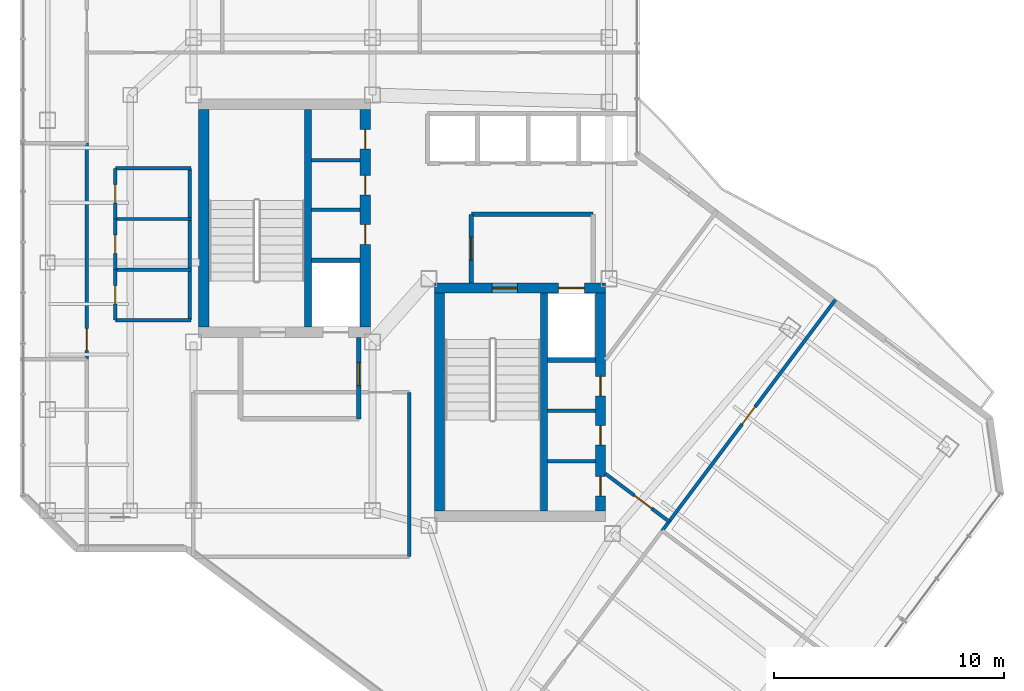
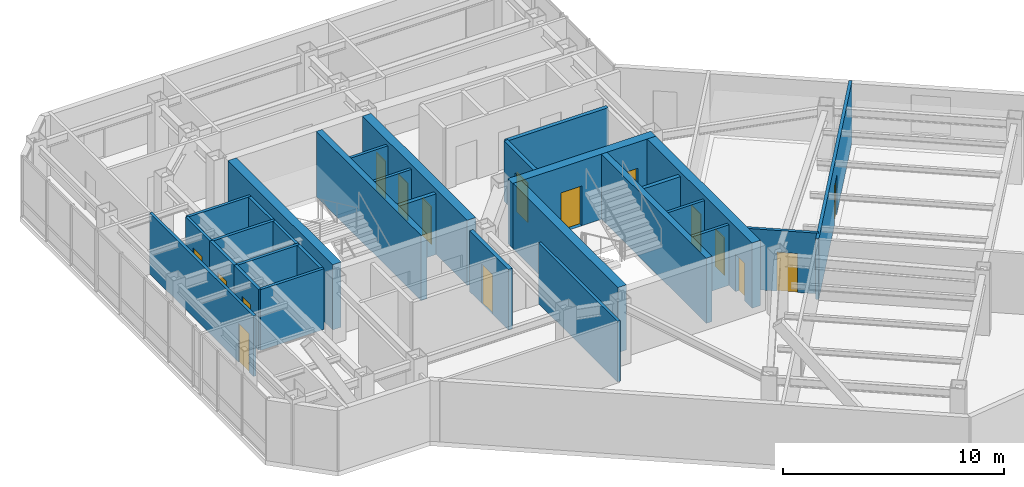
# One storey, part 20 of 25: 28 walls, 16 doors, 16 openings.
"""IFC4 building model written with IfcOpenShell, lengths in metres."""

import ifcopenshell
import ifcopenshell.guid

model = None  # the IFC model being written
_history = None  # IfcOwnerHistory: only IFC2X3 demands one
_inside = {}  # id of a spatial element -> (the spatial element, [elements in it])
_under = {}  # id of a project, library or spatial element -> (it, [spatial elements below it])
_declared = {}  # id of a project -> (the project, [libraries it declares])
_typed = {}  # id of a type object -> (the type object, [elements of that type])
_made_of = {}  # id of a material, layer set ... -> (it, [elements and type objects made of it])


def new_model(schema):
    """Start an empty IFC model of exactly this schema.

    Asked for "IFC4X3", IfcOpenShell would pick the latest addendum, in which some entities
    have other attributes; the version numbers below select the first issue.
    IFC2X3 requires an IfcOwnerHistory on every rooted entity: one is made here for all.
    """
    global model, _history
    if schema == "IFC4X3":
        model = ifcopenshell.file(schema_version=(4, 3, 0, 0))
    else:
        model = ifcopenshell.file(schema=schema)
    _inside.clear()
    _under.clear()
    _declared.clear()
    _typed.clear()
    _made_of.clear()
    _history = None
    if model.schema == "IFC2X3":
        org = make("IfcOrganization", Name="unknown")
        user = make(
            "IfcPersonAndOrganization",
            ThePerson=make("IfcPerson", FamilyName="unknown"),
            TheOrganization=org,
        )
        app = make(
            "IfcApplication",
            ApplicationDeveloper=org,
            Version="unknown",
            ApplicationFullName="unknown",
            ApplicationIdentifier="unknown",
        )
        _history = make(
            "IfcOwnerHistory",
            OwningUser=user,
            OwningApplication=app,
            ChangeAction="ADDED",
            CreationDate=0,
        )
    return model


def make(cls, **values):
    """One entity of the class cls with the attributes given. An attribute that is None is left unset."""
    return model.create_entity(
        cls, **{name: value for name, value in values.items() if value is not None}
    )


def rooted(cls, **values):
    """An entity with a GlobalId (a new one), such as an element, a storey or a relation."""
    return make(cls, GlobalId=ifcopenshell.guid.new(), OwnerHistory=_history, **values)


def si_unit(unit_type, name, prefix=None):
    """IfcSIUnit, for example si_unit("LENGTHUNIT", "METRE", prefix="MILLI")."""
    return make("IfcSIUnit", UnitType=unit_type, Prefix=prefix, Name=name)


def assignment(units):
    """IfcUnitAssignment: the units of a project."""
    return None if units is None else make("IfcUnitAssignment", Units=units)


def point(xyz):
    """IfcCartesianPoint."""
    return None if xyz is None else make("IfcCartesianPoint", Coordinates=xyz)


def direction(xyz):
    """IfcDirection."""
    return None if xyz is None else make("IfcDirection", DirectionRatios=xyz)


def frame(location, z_axis=None, x_axis=None):
    """IfcAxis2Placement3D, a coordinate frame: its origin and axes. An axis left out is left unset."""
    return make(
        "IfcAxis2Placement3D",
        Location=point(location),
        Axis=direction(z_axis),
        RefDirection=direction(x_axis),
    )


def frame_2d(location, x_axis=None):
    """IfcAxis2Placement2D, a coordinate frame in the plane: its origin and x axis."""
    return make(
        "IfcAxis2Placement2D", Location=point(location), RefDirection=direction(x_axis)
    )


def origin():
    """The frame at (0, 0, 0) with its axes left unset."""
    return frame((0.0, 0.0, 0.0))


def place(relative_to, where):
    """IfcLocalPlacement: puts the frame where relative to a parent placement (None: the world)."""
    return make(
        "IfcLocalPlacement", PlacementRelTo=relative_to, RelativePlacement=where
    )


def context(
    kind, dimensions, precision=None, world=None, true_north=None, identifier=None
):
    """IfcGeometricRepresentationContext, for example the 3D "Model" context."""
    return make(
        "IfcGeometricRepresentationContext",
        ContextIdentifier=identifier,
        ContextType=kind,
        CoordinateSpaceDimension=dimensions,
        Precision=precision,
        WorldCoordinateSystem=world,
        TrueNorth=true_north,
    )


def subcontext(parent, identifier, kind, view, scale=None):
    """IfcGeometricRepresentationSubContext, for example "Body" below "Model"."""
    return make(
        "IfcGeometricRepresentationSubContext",
        ContextIdentifier=identifier,
        ContextType=kind,
        ParentContext=parent,
        TargetScale=scale,
        TargetView=view,
    )


def project(units=None, contexts=None):
    """IfcProject with its units and contexts."""
    return rooted(
        "IfcProject",
        Name="project",
        RepresentationContexts=contexts,
        UnitsInContext=assignment(units),
    )


def spatial(cls, under=None, at=None, **own):
    """A site, building, storey or space (cls), placed at a placement, below another one or the project."""
    s = rooted(cls, ObjectPlacement=at, **own)
    if under is not None:
        _under.setdefault(under.id(), (under, []))[1].append(s)
    return s


def profile(cls, at=None, kind="AREA", **sizes):
    """A parametric profile (cls). Its sizes go by their IFC names, for example OverallWidth=200.0."""
    return make(cls, ProfileType=kind, Position=at, **sizes)


def rectangle(**sizes):
    """IfcRectangleProfileDef."""
    return profile("IfcRectangleProfileDef", **sizes)


def extrude(swept, where, along, depth):
    """IfcExtrudedAreaSolid: the profile swept, set in the frame where, extruded along a direction by depth."""
    return make(
        "IfcExtrudedAreaSolid",
        SweptArea=swept,
        Position=where,
        ExtrudedDirection=direction(along),
        Depth=depth,
    )


def shape(context_of_items, identifier, shape_type, items):
    """IfcShapeRepresentation: the items that make up one representation, for example the "Body"."""
    return make(
        "IfcShapeRepresentation",
        ContextOfItems=context_of_items,
        RepresentationIdentifier=identifier,
        RepresentationType=shape_type,
        Items=items,
    )


def material(Name=None, Category=None):
    """IfcMaterial."""
    return make("IfcMaterial", Name=Name, Category=Category)


def layer(
    of_material, thickness, ventilated=None, Name=None, Category=None, Priority=None
):
    """IfcMaterialLayer: one layer of a wall or slab, of a material (None: an air gap)."""
    return make(
        "IfcMaterialLayer",
        Material=of_material,
        LayerThickness=thickness,
        IsVentilated=ventilated,
        Name=Name,
        Category=Category,
        Priority=Priority,
    )


def layer_set(layers, Name=None):
    """IfcMaterialLayerSet."""
    return make("IfcMaterialLayerSet", MaterialLayers=layers, LayerSetName=Name)


def made_of(thing, what):
    """Note that an element or type object is made of a material, layer set ...; save() writes the relation."""
    if what is not None:
        _made_of.setdefault(what.id(), (what, []))[1].append(thing)
    return thing


def type_object(cls, material=None, **own):
    """A type object (cls), such as IfcWallType, which elements share."""
    return made_of(rooted(cls, **own), material)


def element(
    cls,
    number,
    at=None,
    inside=None,
    cuts=None,
    type_object=None,
    material=None,
    context=None,
    identifier="Body",
    shape_type=None,
    held_by="IfcProductDefinitionShape",
    body=None,
    shapes=None,
    **own,
):
    """One element of the class cls, such as IfcWall. Its Tag is "e" and its number.

    at: its placement. inside: the storey or other place that contains it. cuts: it is an
    opening in that element (IfcRelVoidsElement). A single representation is given by context,
    identifier, shape_type and body (its items); several are given by shapes. held_by: the class
    of the entity that holds the representations. save() writes the other relations.
    """
    e = rooted(cls, Tag="e%d" % number, ObjectPlacement=at, **own)
    if body is not None:
        shapes = [shape(context, identifier, shape_type, body)]
    if shapes is not None:
        e.Representation = make(held_by, Representations=shapes)
    if inside is not None:
        _inside.setdefault(inside.id(), (inside, []))[1].append(e)
    if cuts is not None:
        rooted(
            "IfcRelVoidsElement", RelatingBuildingElement=cuts, RelatedOpeningElement=e
        )
    if type_object is not None:
        _typed.setdefault(type_object.id(), (type_object, []))[1].append(e)
    return made_of(e, material)


def fill(opening, filler):
    """IfcRelFillsElement: the door or window that sits in an opening."""
    return rooted(
        "IfcRelFillsElement",
        RelatingOpeningElement=opening,
        RelatedBuildingElement=filler,
    )


def aggregate(whole, parts):
    """IfcRelAggregates: a whole, such as a stair, and the parts it consists of."""
    return rooted("IfcRelAggregates", RelatingObject=whole, RelatedObjects=parts)


def save(model, path):
    """Write the relations noted so far, then the file.

    IfcRelAggregates (storeys below a building ...), IfcRelContainedInSpatialStructure (elements
    in a storey), IfcRelDefinesByType, IfcRelAssociatesMaterial and IfcRelDeclares: one each for
    every whole, place, type object, material and project.
    """
    for whole, parts in _under.values():
        aggregate(whole, parts)
    for where, things in _inside.values():
        rooted(
            "IfcRelContainedInSpatialStructure",
            RelatedElements=things,
            RelatingStructure=where,
        )
    for kind, things in _typed.values():
        rooted("IfcRelDefinesByType", RelatedObjects=things, RelatingType=kind)
    for what, things in _made_of.values():
        rooted("IfcRelAssociatesMaterial", RelatedObjects=things, RelatingMaterial=what)
    for by, libraries in _declared.values():
        rooted("IfcRelDeclares", RelatingContext=by, RelatedDefinitions=libraries)
    model.write(path)


model = new_model("IFC4")

# Units and contexts
model_context = context("Model", 3, precision=1e-05, world=origin(), true_north=direction((0.0, 1.0)))
body_context = subcontext(model_context, "Body", "Model", "MODEL_VIEW")
ifc_project = project(units=[si_unit("LENGTHUNIT", "METRE"), si_unit("AREAUNIT", "SQUARE_METRE"), si_unit("VOLUMEUNIT", "CUBIC_METRE"), si_unit("PLANEANGLEUNIT", "RADIAN"), si_unit("MASSUNIT", "GRAM", prefix="KILO")], contexts=[model_context])

# Site, building, storey
site_placement = place(None, origin())
site = spatial("IfcSite", under=ifc_project, at=site_placement, CompositionType="ELEMENT")
building_placement = place(site_placement, origin())
building = spatial("IfcBuilding", under=site, at=building_placement, Name="Hatsunagi Terrace Concourse", CompositionType="ELEMENT")
storey_placement = place(building_placement, frame((0.0, 0.0, 216.75)))
storey = spatial("IfcBuildingStorey", under=building, at=storey_placement, Name="L57", CompositionType="ELEMENT", Elevation=216.75)

# Wall
ifc_material_1 = material(Name="Concrete Fc42", Category="concrete")
ifc_layer_1 = layer(ifc_material_1, 0.449951171875)
ifc_layer_set_1 = layer_set([ifc_layer_1], Name="CoreShearWall_Fc42_450")
wall_type_1 = type_object("IfcWallType", Name="CoreShearWall_Fc42_450", PredefinedType="SHEAR", material=ifc_layer_set_1)
wall_1_placement = place(storey_placement, frame((25.9951171875, 33.18994140625, 0.0), z_axis=(0.0, 0.0, 1.0), x_axis=(0.0, 1.0, 0.0)))
element("IfcWall", 1, at=wall_1_placement, inside=storey, type_object=wall_type_1, Name="Core A Shear Wall W L57", PredefinedType="SHEAR", context=body_context, shape_type="SweptSolid", body=[
    extrude(rectangle(XDim=9.47998046875, YDim=0.449951171875, at=frame_2d((4.739990234375, 0.0))), origin(), (0.0, 0.0, 1.0), 3.60009765625),
])

# Wall, openings, doors
wall_2_placement = place(storey_placement, frame((33.02490234375, 33.18994140625, 0.0), z_axis=(0.0, 0.0, 1.0), x_axis=(0.0, 1.0, 0.0)))
wall_2 = element("IfcWall", 2, at=wall_2_placement, inside=storey, type_object=wall_type_1, Name="Core A Shear Wall E L57", PredefinedType="SHEAR", context=body_context, shape_type="SweptSolid", body=[
    extrude(rectangle(XDim=9.47998046875, YDim=0.449951171875, at=frame_2d((4.739990234375, 0.0))), origin(), (0.0, 0.0, 1.0), 3.60009765625),
])
opening_1_placement = place(wall_2_placement, frame((3.610107421875, 0.0, 0.0)))
opening_1 = element("IfcOpeningElement", 3, at=opening_1_placement, cuts=wall_2, Name="Opening DR-085", PredefinedType="OPENING", context=body_context, shape_type="SweptSolid", body=[
    extrude(rectangle(XDim=0.85009765625, YDim=2.080078125, at=frame_2d((0.425048828125, 1.0400390625))), frame((0.0, 0.23486328125, 0.0), z_axis=(0.0, -1.0, 0.0), x_axis=(1.0, 0.0, 0.0)), (0.0, 0.0, 1.0), 0.469970703125),
])
opening_2_placement = place(wall_2_placement, frame((5.760009765625, 0.0, 0.0)))
opening_2 = element("IfcOpeningElement", 4, at=opening_2_placement, cuts=wall_2, Name="Opening DR-085", PredefinedType="OPENING", context=body_context, shape_type="SweptSolid", body=[
    extrude(rectangle(XDim=0.85009765625, YDim=2.080078125, at=frame_2d((0.425048828125, 1.0400390625))), frame((0.0, 0.23486328125, 0.0), z_axis=(0.0, -1.0, 0.0), x_axis=(1.0, 0.0, 0.0)), (0.0, 0.0, 1.0), 0.469970703125),
])
opening_3_placement = place(wall_2_placement, frame((7.760009765625, 0.0, 0.0)))
opening_3 = element("IfcOpeningElement", 5, at=opening_3_placement, cuts=wall_2, Name="Opening DR-085", PredefinedType="OPENING", context=body_context, shape_type="SweptSolid", body=[
    extrude(rectangle(XDim=0.85009765625, YDim=2.080078125, at=frame_2d((0.425048828125, 1.0400390625))), frame((0.0, 0.23486328125, 0.0), z_axis=(0.0, -1.0, 0.0), x_axis=(1.0, 0.0, 0.0)), (0.0, 0.0, 1.0), 0.469970703125),
])
ifc_material_2 = material(Name="Painted steel", Category="steel")
door_type_1 = type_object("IfcDoorType", Name="RiserAccessDoor_EI60_850", OperationType="NOTDEFINED", PredefinedType="DOOR", material=ifc_material_2)
door_1_placement = place(opening_1_placement, origin())
door_1 = element("IfcDoor", 6, at=door_1_placement, inside=storey, type_object=door_type_1, Name="Core A Riser Door L57-1", OperationType="SINGLE_SWING_LEFT", OverallHeight=2.080078125, OverallWidth=0.85009765625, PredefinedType="DOOR", context=body_context, shape_type="SweptSolid", body=[
    extrude(rectangle(XDim=0.85009765625, YDim=2.080078125, at=frame_2d((0.425048828125, 1.0400390625))), frame((0.0, 0.02490234375, 0.0), z_axis=(0.0, -1.0, 0.0), x_axis=(1.0, 0.0, 0.0)), (0.0, 0.0, 1.0), 0.050048828125),
])
fill(opening_1, door_1)
door_2_placement = place(opening_2_placement, origin())
door_2 = element("IfcDoor", 7, at=door_2_placement, inside=storey, type_object=door_type_1, Name="Core A Riser Door L57-2", OperationType="SINGLE_SWING_LEFT", OverallHeight=2.080078125, OverallWidth=0.85009765625, PredefinedType="DOOR", context=body_context, shape_type="SweptSolid", body=[
    extrude(rectangle(XDim=0.85009765625, YDim=2.080078125, at=frame_2d((0.425048828125, 1.0400390625))), frame((0.0, 0.02490234375, 0.0), z_axis=(0.0, -1.0, 0.0), x_axis=(1.0, 0.0, 0.0)), (0.0, 0.0, 1.0), 0.050048828125),
])
fill(opening_2, door_2)
door_3_placement = place(opening_3_placement, origin())
door_3 = element("IfcDoor", 8, at=door_3_placement, inside=storey, type_object=door_type_1, Name="Core A Riser Door L57-3", OperationType="SINGLE_SWING_LEFT", OverallHeight=2.080078125, OverallWidth=0.85009765625, PredefinedType="DOOR", context=body_context, shape_type="SweptSolid", body=[
    extrude(rectangle(XDim=0.85009765625, YDim=2.080078125, at=frame_2d((0.425048828125, 1.0400390625))), frame((0.0, 0.02490234375, 0.0), z_axis=(0.0, -1.0, 0.0), x_axis=(1.0, 0.0, 0.0)), (0.0, 0.0, 1.0), 0.050048828125),
])
fill(opening_3, door_3)

wall_3_placement = place(storey_placement, frame((36.0400390625, 34.89501953125, 0.0), z_axis=(0.0, 0.0, 1.0), x_axis=(1.0, 0.0, 0.0)))
wall_3 = element("IfcWall", 9, at=wall_3_placement, inside=storey, type_object=wall_type_1, Name="Core B Shear Wall N L57", PredefinedType="SHEAR", context=body_context, shape_type="SweptSolid", body=[
    extrude(rectangle(XDim=7.4599609375, YDim=0.449951171875, at=frame_2d((3.72998046875, 0.0))), origin(), (0.0, 0.0, 1.0), 3.60009765625),
])
opening_4_placement = place(wall_3_placement, frame((2.510009765625, 0.0, 0.0)))
opening_4 = element("IfcOpeningElement", 10, at=opening_4_placement, cuts=wall_3, Name="Opening DR-110S", PredefinedType="OPENING", context=body_context, shape_type="SweptSolid", body=[
    extrude(rectangle(XDim=1.10009765625, YDim=2.199951171875, at=frame_2d((0.550048828125, 1.10009765625))), frame((0.0, 0.23486328125, 0.0), z_axis=(0.0, -1.0, 0.0), x_axis=(1.0, 0.0, 0.0)), (0.0, 0.0, 1.0), 0.469970703125),
])
opening_5_placement = place(wall_3_placement, frame((5.409912109375, 0.0, 0.0)))
opening_5 = element("IfcOpeningElement", 11, at=opening_5_placement, cuts=wall_3, Name="Opening LD-02", PredefinedType="OPENING", context=body_context, shape_type="SweptSolid", body=[
    extrude(rectangle(XDim=1.1201171875, YDim=2.14990234375, at=frame_2d((0.56005859375, 1.074951171875))), frame((0.0, 0.23486328125, 0.0), z_axis=(0.0, -1.0, 0.0), x_axis=(1.0, 0.0, 0.0)), (0.0, 0.0, 1.0), 0.469970703125),
])
ifc_material_3 = material(Name="Stainless steel", Category="steel")
door_type_2 = type_object("IfcDoorType", Name="LiftLandingDoor_LD02", OperationType="SLIDING_TO_RIGHT", PredefinedType="USERDEFINED", material=ifc_material_3)
door_4_placement = place(opening_5_placement, origin())
door_4 = element("IfcDoor", 12, at=door_4_placement, inside=storey, type_object=door_type_2, Name="Lift landing door FF-02 L57", ObjectType="SLIDING_LANDING_DOOR", OperationType="SLIDING_TO_RIGHT", OverallHeight=2.14990234375, OverallWidth=1.1201171875, PredefinedType="USERDEFINED", context=body_context, shape_type="SweptSolid", body=[
    extrude(rectangle(XDim=1.1201171875, YDim=2.14990234375, at=frame_2d((0.56005859375, 1.074951171875))), frame((0.0, 0.02490234375, 0.0), z_axis=(0.0, -1.0, 0.0), x_axis=(1.0, 0.0, 0.0)), (0.0, 0.0, 1.0), 0.050048828125),
])
fill(opening_5, door_4)
ifc_material_4 = material(Name="Painted steel", Category="steel")
door_type_3 = type_object("IfcDoorType", Name="StairFireDoor_EI60_1100", OperationType="NOTDEFINED", PredefinedType="DOOR", material=ifc_material_4)
door_5_placement = place(opening_4_placement, origin())
door_5 = element("IfcDoor", 13, at=door_5_placement, inside=storey, type_object=door_type_3, Name="Stair ST-B Exit Door L57", OperationType="SINGLE_SWING_RIGHT", OverallHeight=2.199951171875, OverallWidth=1.10009765625, PredefinedType="DOOR", context=body_context, shape_type="SweptSolid", body=[
    extrude(rectangle(XDim=1.10009765625, YDim=2.199951171875, at=frame_2d((0.550048828125, 1.10009765625))), frame((0.0, 0.02490234375, 0.0), z_axis=(0.0, -1.0, 0.0), x_axis=(1.0, 0.0, 0.0)), (0.0, 0.0, 1.0), 0.050048828125),
])
fill(opening_4, door_5)

# Wall
wall_4_placement = place(storey_placement, frame((36.264892578125, 25.18994140625, 0.0), z_axis=(0.0, 0.0, 1.0), x_axis=(0.0, 1.0, 0.0)))
element("IfcWall", 14, at=wall_4_placement, inside=storey, type_object=wall_type_1, Name="Core B Shear Wall W L57", PredefinedType="SHEAR", context=body_context, shape_type="SweptSolid", body=[
    extrude(rectangle(XDim=9.47998046875, YDim=0.449951171875, at=frame_2d((4.739990234375, 0.0))), origin(), (0.0, 0.0, 1.0), 3.60009765625),
])

# Wall, openings, doors
wall_5_placement = place(storey_placement, frame((43.27490234375, 25.18994140625, 0.0), z_axis=(0.0, 0.0, 1.0), x_axis=(0.0, 1.0, 0.0)))
wall_5 = element("IfcWall", 15, at=wall_5_placement, inside=storey, type_object=wall_type_1, Name="Core B Shear Wall E L57", PredefinedType="SHEAR", context=body_context, shape_type="SweptSolid", body=[
    extrude(rectangle(XDim=9.47998046875, YDim=0.449951171875, at=frame_2d((4.739990234375, 0.0))), origin(), (0.0, 0.0, 1.0), 3.60009765625),
])
opening_6_placement = place(wall_5_placement, frame((0.659912109375, 0.0, 0.0)))
opening_6 = element("IfcOpeningElement", 16, at=opening_6_placement, cuts=wall_5, Name="Opening DR-085", PredefinedType="OPENING", context=body_context, shape_type="SweptSolid", body=[
    extrude(rectangle(XDim=0.85009765625, YDim=2.080078125, at=frame_2d((0.425048828125, 1.0400390625))), frame((0.0, 0.23486328125, 0.0), z_axis=(0.0, -1.0, 0.0), x_axis=(1.0, 0.0, 0.0)), (0.0, 0.0, 1.0), 0.469970703125),
])
opening_7_placement = place(wall_5_placement, frame((2.860107421875, 0.0, 0.0)))
opening_7 = element("IfcOpeningElement", 17, at=opening_7_placement, cuts=wall_5, Name="Opening DR-085", PredefinedType="OPENING", context=body_context, shape_type="SweptSolid", body=[
    extrude(rectangle(XDim=0.85009765625, YDim=2.080078125, at=frame_2d((0.425048828125, 1.0400390625))), frame((0.0, 0.23486328125, 0.0), z_axis=(0.0, -1.0, 0.0), x_axis=(1.0, 0.0, 0.0)), (0.0, 0.0, 1.0), 0.469970703125),
])
opening_8_placement = place(wall_5_placement, frame((5.010009765625, 0.0, 0.0)))
opening_8 = element("IfcOpeningElement", 18, at=opening_8_placement, cuts=wall_5, Name="Opening DR-085", PredefinedType="OPENING", context=body_context, shape_type="SweptSolid", body=[
    extrude(rectangle(XDim=0.85009765625, YDim=2.080078125, at=frame_2d((0.425048828125, 1.0400390625))), frame((0.0, 0.23486328125, 0.0), z_axis=(0.0, -1.0, 0.0), x_axis=(1.0, 0.0, 0.0)), (0.0, 0.0, 1.0), 0.469970703125),
])
door_6_placement = place(opening_6_placement, origin())
door_6 = element("IfcDoor", 19, at=door_6_placement, inside=storey, type_object=door_type_1, Name="Core B Riser Door L57-1", OperationType="SINGLE_SWING_RIGHT", OverallHeight=2.080078125, OverallWidth=0.85009765625, PredefinedType="DOOR", context=body_context, shape_type="SweptSolid", body=[
    extrude(rectangle(XDim=0.85009765625, YDim=2.080078125, at=frame_2d((0.425048828125, 1.0400390625))), frame((0.0, 0.02490234375, 0.0), z_axis=(0.0, -1.0, 0.0), x_axis=(1.0, 0.0, 0.0)), (0.0, 0.0, 1.0), 0.050048828125),
])
fill(opening_6, door_6)
door_7_placement = place(opening_7_placement, origin())
door_7 = element("IfcDoor", 20, at=door_7_placement, inside=storey, type_object=door_type_1, Name="Core B Riser Door L57-2", OperationType="SINGLE_SWING_RIGHT", OverallHeight=2.080078125, OverallWidth=0.85009765625, PredefinedType="DOOR", context=body_context, shape_type="SweptSolid", body=[
    extrude(rectangle(XDim=0.85009765625, YDim=2.080078125, at=frame_2d((0.425048828125, 1.0400390625))), frame((0.0, 0.02490234375, 0.0), z_axis=(0.0, -1.0, 0.0), x_axis=(1.0, 0.0, 0.0)), (0.0, 0.0, 1.0), 0.050048828125),
])
fill(opening_7, door_7)
door_8_placement = place(opening_8_placement, origin())
door_8 = element("IfcDoor", 21, at=door_8_placement, inside=storey, type_object=door_type_1, Name="Core B Riser Door L57-3", OperationType="SINGLE_SWING_RIGHT", OverallHeight=2.080078125, OverallWidth=0.85009765625, PredefinedType="DOOR", context=body_context, shape_type="SweptSolid", body=[
    extrude(rectangle(XDim=0.85009765625, YDim=2.080078125, at=frame_2d((0.425048828125, 1.0400390625))), frame((0.0, 0.02490234375, 0.0), z_axis=(0.0, -1.0, 0.0), x_axis=(1.0, 0.0, 0.0)), (0.0, 0.0, 1.0), 0.050048828125),
])
fill(opening_8, door_8)

# Walls
ifc_material_5 = material(Name="Concrete Fc48", Category="concrete")
ifc_layer_2 = layer(ifc_material_5, 0.300048828125)
ifc_layer_set_2 = layer_set([ifc_layer_2], Name="CoreStairDivider_Fc48_300")
wall_type_2 = type_object("IfcWallType", Name="CoreStairDivider_Fc48_300", PredefinedType="SHEAR", material=ifc_layer_set_2)
for number, where, z_axis, x_axis, name in (
    (22, (30.5400390625, 33.18994140625, 0.0), (0.0, 0.0, 1.0), (0.0, 1.0, 0.0), "Core A Shear Wall D L57"),
    (23, (40.81005859375, 25.18994140625, 0.0), (0.0, 0.0, 1.0), (0.0, 1.0, 0.0), "Core B Shear Wall D L57"),
):
    element("IfcWall", number, at=place(storey_placement, frame(where, z_axis=z_axis, x_axis=x_axis)), inside=storey, type_object=wall_type_2, Name=name, PredefinedType="SHEAR", context=body_context, shape_type="SweptSolid", body=[
        extrude(rectangle(XDim=9.47998046875, YDim=0.300048828125, at=frame_2d((4.739990234375, 0.0))), origin(), (0.0, 0.0, 1.0), 3.60009765625),
    ])
ifc_material_6 = material(Name="Acoustic mineral board", Category="gypsum")
ifc_layer_3 = layer(ifc_material_6, 0.14990234375)
ifc_layer_set_3 = layer_set([ifc_layer_3], Name="PartitionWall_EI60_150")
wall_type_3 = type_object("IfcWallType", Name="PartitionWall_EI60_150", PredefinedType="PARTITIONING", material=ifc_layer_set_3)
for number, where, z_axis, x_axis, name in (
    (24, (30.699951171875, 38.300048828125, 0.0), (0.0, 0.0, 1.0), (1.0, 0.0, 0.0), "Interior Partition IW-L57-002"),
    (25, (30.699951171875, 40.449951171875, 0.0), (0.0, 0.0, 1.0), (1.0, 0.0, 0.0), "Interior Partition IW-L57-003"),
):
    element("IfcWall", number, at=place(storey_placement, frame(where, z_axis=z_axis, x_axis=x_axis)), inside=storey, type_object=wall_type_3, Name=name, PredefinedType="PARTITIONING", context=body_context, shape_type="SweptSolid", body=[
        extrude(rectangle(XDim=2.10009765625, YDim=0.14990234375, at=frame_2d((1.050048828125, 0.0))), origin(), (0.0, 0.0, 1.0), 3.35009765625),
    ])
for number, where, z_axis, x_axis, name in (
    (26, (40.969970703125, 27.35009765625, 0.0), (0.0, 0.0, 1.0), (1.0, 0.0, 0.0), "Interior Partition IW-L57-005"),
    (27, (40.969970703125, 29.550048828125, 0.0), (0.0, 0.0, 1.0), (1.0, 0.0, 0.0), "Interior Partition IW-L57-006"),
):
    element("IfcWall", number, at=place(storey_placement, frame(where, z_axis=z_axis, x_axis=x_axis)), inside=storey, type_object=wall_type_3, Name=name, PredefinedType="PARTITIONING", context=body_context, shape_type="SweptSolid", body=[
        extrude(rectangle(XDim=2.080078125, YDim=0.14990234375, at=frame_2d((1.0400390625, 0.0))), origin(), (0.0, 0.0, 1.0), 3.35009765625),
    ])
for number, where, z_axis, x_axis, name in (
    (28, (22.14990234375, 33.5, 0.0), (0.0, 0.0, 1.0), (1.0, 0.0, 0.0), "Interior Partition IW-L57-019"),
    (29, (22.14990234375, 40.10009765625, 0.0), (0.0, 0.0, 1.0), (1.0, 0.0, 0.0), "Interior Partition IW-L57-020"),
):
    element("IfcWall", number, at=place(storey_placement, frame(where, z_axis=z_axis, x_axis=x_axis)), inside=storey, type_object=wall_type_3, Name=name, PredefinedType="PARTITIONING", context=body_context, shape_type="SweptSolid", body=[
        extrude(rectangle(XDim=3.300048828125, YDim=0.14990234375, at=frame_2d((1.64990234375, 0.0))), origin(), (0.0, 0.0, 1.0), 3.35009765625),
    ])
wall_6_placement = place(storey_placement, frame((25.39990234375, 33.5, 0.0), z_axis=(0.0, 0.0, 1.0), x_axis=(0.0, 1.0, 0.0)))
element("IfcWall", 30, at=wall_6_placement, inside=storey, type_object=wall_type_3, Name="Interior Partition IW-L57-021", PredefinedType="PARTITIONING", context=body_context, shape_type="SweptSolid", body=[
    extrude(rectangle(XDim=6.60009765625, YDim=0.14990234375, at=frame_2d((3.300048828125, 0.0))), origin(), (0.0, 0.0, 1.0), 3.35009765625),
])
for number, where, z_axis, x_axis, name in (
    (31, (22.14990234375, 35.699951171875, 0.0), (0.0, 0.0, 1.0), (1.0, 0.0, 0.0), "Interior Partition IW-L57-022"),
    (32, (22.14990234375, 37.89990234375, 0.0), (0.0, 0.0, 1.0), (1.0, 0.0, 0.0), "Interior Partition IW-L57-023"),
):
    element("IfcWall", number, at=place(storey_placement, frame(where, z_axis=z_axis, x_axis=x_axis)), inside=storey, type_object=wall_type_3, Name=name, PredefinedType="PARTITIONING", context=body_context, shape_type="SweptSolid", body=[
        extrude(rectangle(XDim=3.300048828125, YDim=0.14990234375, at=frame_2d((1.64990234375, 0.0))), origin(), (0.0, 0.0, 1.0), 3.35009765625),
    ])

# Wall, opening, door
wall_7_placement = place(storey_placement, frame((22.14990234375, 33.5, 0.0), z_axis=(0.0, 0.0, 1.0), x_axis=(0.0, 1.0, 0.0)))
wall_7 = element("IfcWall", 33, at=wall_7_placement, inside=storey, type_object=wall_type_3, Name="Interior Partition IW-L57-024", PredefinedType="PARTITIONING", context=body_context, shape_type="SweptSolid", body=[
    extrude(rectangle(XDim=2.199951171875, YDim=0.14990234375, at=frame_2d((1.10009765625, 0.0))), origin(), (0.0, 0.0, 1.0), 3.35009765625),
])
opening_9_placement = place(wall_7_placement, frame((0.699951171875, 0.0, 0.0)))
opening_9 = element("IfcOpeningElement", 34, at=opening_9_placement, cuts=wall_7, Name="Opening DR-080", PredefinedType="OPENING", context=body_context, shape_type="SweptSolid", body=[
    extrude(rectangle(XDim=0.800048828125, YDim=2.06005859375, at=frame_2d((0.39990234375, 1.030029296875))), frame((0.0, 0.0849609375, 0.0), z_axis=(0.0, -1.0, 0.0), x_axis=(1.0, 0.0, 0.0)), (0.0, 0.0, 1.0), 0.169921875),
])
ifc_material_7 = material(Name="Hardwood timber", Category="wood")
door_type_4 = type_object("IfcDoorType", Name="BathroomDoor_800", OperationType="NOTDEFINED", PredefinedType="DOOR", material=ifc_material_7)
door_9_placement = place(opening_9_placement, origin())
door_9 = element("IfcDoor", 35, at=door_9_placement, inside=storey, type_object=door_type_4, Name="Accessible WC Door L57", OperationType="SINGLE_SWING_RIGHT", OverallHeight=2.06005859375, OverallWidth=0.800048828125, PredefinedType="DOOR", context=body_context, shape_type="SweptSolid", body=[
    extrude(rectangle(XDim=0.800048828125, YDim=2.06005859375, at=frame_2d((0.39990234375, 1.030029296875))), frame((0.0, 0.02490234375, 0.0), z_axis=(0.0, -1.0, 0.0), x_axis=(1.0, 0.0, 0.0)), (0.0, 0.0, 1.0), 0.050048828125),
])
fill(opening_9, door_9)

wall_8_placement = place(storey_placement, frame((22.14990234375, 35.699951171875, 0.0), z_axis=(0.0, 0.0, 1.0), x_axis=(0.0, 1.0, 0.0)))
wall_8 = element("IfcWall", 36, at=wall_8_placement, inside=storey, type_object=wall_type_3, Name="Interior Partition IW-L57-025", PredefinedType="PARTITIONING", context=body_context, shape_type="SweptSolid", body=[
    extrude(rectangle(XDim=2.199951171875, YDim=0.14990234375, at=frame_2d((1.10009765625, 0.0))), origin(), (0.0, 0.0, 1.0), 3.35009765625),
])
opening_10_placement = place(wall_8_placement, frame((0.699951171875, 0.0, 0.0)))
opening_10 = element("IfcOpeningElement", 37, at=opening_10_placement, cuts=wall_8, Name="Opening DR-080", PredefinedType="OPENING", context=body_context, shape_type="SweptSolid", body=[
    extrude(rectangle(XDim=0.800048828125, YDim=2.06005859375, at=frame_2d((0.39990234375, 1.030029296875))), frame((0.0, 0.0849609375, 0.0), z_axis=(0.0, -1.0, 0.0), x_axis=(1.0, 0.0, 0.0)), (0.0, 0.0, 1.0), 0.169921875),
])
door_10_placement = place(opening_10_placement, origin())
door_10 = element("IfcDoor", 38, at=door_10_placement, inside=storey, type_object=door_type_4, Name="Female Restroom Door L57", OperationType="SINGLE_SWING_RIGHT", OverallHeight=2.06005859375, OverallWidth=0.800048828125, PredefinedType="DOOR", context=body_context, shape_type="SweptSolid", body=[
    extrude(rectangle(XDim=0.800048828125, YDim=2.06005859375, at=frame_2d((0.39990234375, 1.030029296875))), frame((0.0, 0.02490234375, 0.0), z_axis=(0.0, -1.0, 0.0), x_axis=(1.0, 0.0, 0.0)), (0.0, 0.0, 1.0), 0.050048828125),
])
fill(opening_10, door_10)

wall_9_placement = place(storey_placement, frame((22.14990234375, 37.89990234375, 0.0), z_axis=(0.0, 0.0, 1.0), x_axis=(0.0, 1.0, 0.0)))
wall_9 = element("IfcWall", 39, at=wall_9_placement, inside=storey, type_object=wall_type_3, Name="Interior Partition IW-L57-026", PredefinedType="PARTITIONING", context=body_context, shape_type="SweptSolid", body=[
    extrude(rectangle(XDim=2.2001953125, YDim=0.14990234375, at=frame_2d((1.10009765625, 0.0))), origin(), (0.0, 0.0, 1.0), 3.35009765625),
])
opening_11_placement = place(wall_9_placement, frame((0.699951171875, 0.0, 0.0)))
opening_11 = element("IfcOpeningElement", 40, at=opening_11_placement, cuts=wall_9, Name="Opening DR-080", PredefinedType="OPENING", context=body_context, shape_type="SweptSolid", body=[
    extrude(rectangle(XDim=0.800048828125, YDim=2.06005859375, at=frame_2d((0.39990234375, 1.030029296875))), frame((0.0, 0.0849609375, 0.0), z_axis=(0.0, -1.0, 0.0), x_axis=(1.0, 0.0, 0.0)), (0.0, 0.0, 1.0), 0.169921875),
])
door_11_placement = place(opening_11_placement, origin())
door_11 = element("IfcDoor", 41, at=door_11_placement, inside=storey, type_object=door_type_4, Name="Male Restroom Door L57", OperationType="SINGLE_SWING_RIGHT", OverallHeight=2.06005859375, OverallWidth=0.800048828125, PredefinedType="DOOR", context=body_context, shape_type="SweptSolid", body=[
    extrude(rectangle(XDim=0.800048828125, YDim=2.06005859375, at=frame_2d((0.39990234375, 1.030029296875))), frame((0.0, 0.02490234375, 0.0), z_axis=(0.0, -1.0, 0.0), x_axis=(1.0, 0.0, 0.0)), (0.0, 0.0, 1.0), 0.050048828125),
])
fill(opening_11, door_11)

# Wall
wall_10_placement = place(storey_placement, frame((34.949951171875, 23.199951171875, 0.0), z_axis=(0.0, 0.0, 1.0), x_axis=(0.0, 1.0, 0.0)))
element("IfcWall", 42, at=wall_10_placement, inside=storey, type_object=wall_type_3, Name="Interior Partition IW-L57-030", PredefinedType="PARTITIONING", context=body_context, shape_type="SweptSolid", body=[
    extrude(rectangle(XDim=7.150146484375, YDim=0.14990234375, at=frame_2d((3.5751953125, 0.0))), origin(), (0.0, 0.0, 1.0), 3.35009765625),
])

# Wall, opening, door
wall_11_placement = place(storey_placement, frame((20.89990234375, 31.800048828125, 0.0), z_axis=(0.0, 0.0, 1.0), x_axis=(0.0, 1.0, 0.0)))
wall_11 = element("IfcWall", 43, at=wall_11_placement, inside=storey, type_object=wall_type_3, Name="Interior Partition IW-L57-034", PredefinedType="PARTITIONING", context=body_context, shape_type="SweptSolid", body=[
    extrude(rectangle(XDim=9.39990234375, YDim=0.14990234375, at=frame_2d((4.699951171875, 0.0))), origin(), (0.0, 0.0, 1.0), 3.35009765625),
])
opening_12_placement = place(wall_11_placement, frame((0.3798828125, 0.0, 0.0)))
opening_12 = element("IfcOpeningElement", 44, at=opening_12_placement, cuts=wall_11, Name="Opening DR-095", PredefinedType="OPENING", context=body_context, shape_type="SweptSolid", body=[
    extrude(rectangle(XDim=0.949951171875, YDim=2.14990234375, at=frame_2d((0.47509765625, 1.074951171875))), frame((0.0, 0.0849609375, 0.0), z_axis=(0.0, -1.0, 0.0), x_axis=(1.0, 0.0, 0.0)), (0.0, 0.0, 1.0), 0.169921875),
])
ifc_material_8 = material(Name="Hardwood timber", Category="wood")
door_type_5 = type_object("IfcDoorType", Name="InteriorSuiteDoor_EI30_950", OperationType="NOTDEFINED", PredefinedType="DOOR", material=ifc_material_8)
door_12_placement = place(opening_12_placement, origin())
door_12 = element("IfcDoor", 45, at=door_12_placement, inside=storey, type_object=door_type_5, Name="Design Studio L57-OW2 Door", OperationType="SINGLE_SWING_RIGHT", OverallHeight=2.14990234375, OverallWidth=0.949951171875, PredefinedType="DOOR", context=body_context, shape_type="SweptSolid", body=[
    extrude(rectangle(XDim=0.949951171875, YDim=2.14990234375, at=frame_2d((0.47509765625, 1.074951171875))), frame((0.0, 0.02490234375, 0.0), z_axis=(0.0, -1.0, 0.0), x_axis=(1.0, 0.0, 0.0)), (0.0, 0.0, 1.0), 0.050048828125),
])
fill(opening_12, door_12)

wall_12_placement = place(storey_placement, frame((45.9599609375, 24.330078125, 0.0), z_axis=(0.0, 0.0, 1.0), x_axis=(0.600012440253, 0.799990669659, 0.0)))
wall_12 = element("IfcWall", 46, at=wall_12_placement, inside=storey, type_object=wall_type_3, Name="Interior Partition IW-L57-043", PredefinedType="PARTITIONING", context=body_context, shape_type="SweptSolid", body=[
    extrude(rectangle(XDim=12.56005859375, YDim=0.14990234375, at=frame_2d((6.280029296875, 0.0))), origin(), (0.0, 0.0, 1.0), 3.35009765625),
])
opening_13_placement = place(wall_12_placement, frame((5.804931640625, 0.0, 0.0)))
opening_13 = element("IfcOpeningElement", 47, at=opening_13_placement, cuts=wall_12, Name="Opening DR-095", PredefinedType="OPENING", context=body_context, shape_type="SweptSolid", body=[
    extrude(rectangle(XDim=0.949951171875, YDim=2.14990234375, at=frame_2d((0.47509765625, 1.074951171875))), frame((0.0, 0.0849609375, 0.0), z_axis=(0.0, -1.0, 0.0), x_axis=(1.0, 0.0, 0.0)), (0.0, 0.0, 1.0), 0.169921875),
])
door_13_placement = place(opening_13_placement, origin())
door_13 = element("IfcDoor", 48, at=door_13_placement, inside=storey, type_object=door_type_5, Name="Research Focus Suite L57-OSE2 Door", OperationType="SINGLE_SWING_RIGHT", OverallHeight=2.14990234375, OverallWidth=0.949951171875, PredefinedType="DOOR", context=body_context, shape_type="SweptSolid", body=[
    extrude(rectangle(XDim=0.949951171875, YDim=2.14990234375, at=frame_2d((0.47509765625, 1.074951171875))), frame((0.0, 0.02490234375, 0.0), z_axis=(0.0, -1.0, 0.0), x_axis=(1.0, 0.0, 0.0)), (0.0, 0.0, 1.0), 0.050048828125),
])
fill(opening_13, door_13)

wall_13_placement = place(storey_placement, frame((43.47998046875, 26.81494140625, 0.0), z_axis=(0.0, 0.0, 1.0), x_axis=(0.800008430676, -0.599988758934, 0.0)))
wall_13 = element("IfcWall", 49, at=wall_13_placement, inside=storey, type_object=wall_type_3, Name="Interior Partition IW-L57-044", PredefinedType="PARTITIONING", context=body_context, shape_type="SweptSolid", body=[
    extrude(rectangle(XDim=3.47509765625, YDim=0.14990234375, at=frame_2d((1.737548828125, 0.0))), origin(), (0.0, 0.0, 1.0), 3.35009765625),
])
opening_14_placement = place(wall_13_placement, frame((1.580078125, 0.0, 0.0)))
opening_14 = element("IfcOpeningElement", 50, at=opening_14_placement, cuts=wall_13, Name="Opening DR-095", PredefinedType="OPENING", context=body_context, shape_type="SweptSolid", body=[
    extrude(rectangle(XDim=0.949951171875, YDim=2.14990234375, at=frame_2d((0.47509765625, 1.074951171875))), frame((0.0, 0.0849609375, 0.0), z_axis=(0.0, -1.0, 0.0), x_axis=(1.0, 0.0, 0.0)), (0.0, 0.0, 1.0), 0.169921875),
])
door_14_placement = place(opening_14_placement, origin())
door_14 = element("IfcDoor", 51, at=door_14_placement, inside=storey, type_object=door_type_5, Name="Collaboration Lounge L57-OSEN1 Door", OperationType="SINGLE_SWING_LEFT", OverallHeight=2.14990234375, OverallWidth=0.949951171875, PredefinedType="DOOR", context=body_context, shape_type="SweptSolid", body=[
    extrude(rectangle(XDim=0.949951171875, YDim=2.14990234375, at=frame_2d((0.47509765625, 1.074951171875))), frame((0.0, 0.02490234375, 0.0), z_axis=(0.0, -1.0, 0.0), x_axis=(1.0, 0.0, 0.0)), (0.0, 0.0, 1.0), 0.050048828125),
])
fill(opening_14, door_14)

# Walls
ifc_material_9 = material(Name="Acoustic mineral board", Category="gypsum")
ifc_layer_4 = layer(ifc_material_9, 0.199951171875)
ifc_layer_set_4 = layer_set([ifc_layer_4], Name="ShaftWall_EI120_200")
wall_type_4 = type_object("IfcWallType", Name="ShaftWall_EI120_200", PredefinedType="STANDARD", material=ifc_layer_set_4)
wall_14_placement = place(storey_placement, frame((30.699951171875, 36.10009765625, 0.0), z_axis=(0.0, 0.0, 1.0), x_axis=(1.0, 0.0, 0.0)))
element("IfcWall", 52, at=wall_14_placement, inside=storey, type_object=wall_type_4, Name="Interior Partition IW-L57-001", PredefinedType="STANDARD", context=body_context, shape_type="SweptSolid", body=[
    extrude(rectangle(XDim=2.10009765625, YDim=0.199951171875, at=frame_2d((1.050048828125, 0.0))), origin(), (0.0, 0.0, 1.0), 3.35009765625),
])
wall_15_placement = place(storey_placement, frame((40.969970703125, 31.760009765625, 0.0), z_axis=(0.0, 0.0, 1.0), x_axis=(1.0, 0.0, 0.0)))
element("IfcWall", 53, at=wall_15_placement, inside=storey, type_object=wall_type_4, Name="Interior Partition IW-L57-004", PredefinedType="STANDARD", context=body_context, shape_type="SweptSolid", body=[
    extrude(rectangle(XDim=2.080078125, YDim=0.199951171875, at=frame_2d((1.0400390625, 0.0))), origin(), (0.0, 0.0, 1.0), 3.35009765625),
])

# Wall, opening, door
wall_16_placement = place(storey_placement, frame((32.75, 29.199951171875, 0.0), z_axis=(0.0, 0.0, 1.0), x_axis=(0.0, 1.0, 0.0)))
wall_16 = element("IfcWall", 54, at=wall_16_placement, inside=storey, type_object=wall_type_4, Name="Interior Partition IW-L57-009", PredefinedType="STANDARD", context=body_context, shape_type="SweptSolid", body=[
    extrude(rectangle(XDim=3.5400390625, YDim=0.199951171875, at=frame_2d((1.77001953125, 0.0))), origin(), (0.0, 0.0, 1.0), 3.35009765625),
])
opening_15_placement = place(wall_16_placement, frame((1.449951171875, 0.0, 0.0)))
opening_15 = element("IfcOpeningElement", 55, at=opening_15_placement, cuts=wall_16, Name="Opening DR-100F", PredefinedType="OPENING", context=body_context, shape_type="SweptSolid", body=[
    extrude(rectangle(XDim=1.0, YDim=2.199951171875, at=frame_2d((0.5, 1.10009765625))), frame((0.0, 0.10986328125, 0.0), z_axis=(0.0, -1.0, 0.0), x_axis=(1.0, 0.0, 0.0)), (0.0, 0.0, 1.0), 0.219970703125),
])
ifc_material_10 = material(Name="Painted steel", Category="steel")
door_type_6 = type_object("IfcDoorType", Name="FireDoor_EI60_1000", OperationType="NOTDEFINED", PredefinedType="DOOR", material=ifc_material_10)
door_15_placement = place(opening_15_placement, origin())
door_15 = element("IfcDoor", 56, at=door_15_placement, inside=storey, type_object=door_type_6, Name="Firefighting Lobby A Door L57", OperationType="SINGLE_SWING_RIGHT", OverallHeight=2.199951171875, OverallWidth=1.0, PredefinedType="DOOR", context=body_context, shape_type="SweptSolid", body=[
    extrude(rectangle(XDim=1.0, YDim=2.199951171875, at=frame_2d((0.5, 1.10009765625))), frame((0.0, 0.02490234375, 0.0), z_axis=(0.0, -1.0, 0.0), x_axis=(1.0, 0.0, 0.0)), (0.0, 0.0, 1.0), 0.050048828125),
])
fill(opening_15, door_15)

# Wall
wall_17_placement = place(storey_placement, frame((37.64990234375, 38.10009765625, 0.0), z_axis=(0.0, 0.0, 1.0), x_axis=(1.0, 0.0, 0.0)))
element("IfcWall", 57, at=wall_17_placement, inside=storey, type_object=wall_type_4, Name="Interior Partition IW-L57-010", PredefinedType="STANDARD", context=body_context, shape_type="SweptSolid", body=[
    extrude(rectangle(XDim=5.300048828125, YDim=0.199951171875, at=frame_2d((2.64990234375, 0.0))), origin(), (0.0, 0.0, 1.0), 3.35009765625),
])

# Wall, opening, door
wall_18_placement = place(storey_placement, frame((37.64990234375, 35.1201171875, 0.0), z_axis=(0.0, 0.0, 1.0), x_axis=(0.0, 1.0, 0.0)))
wall_18 = element("IfcWall", 58, at=wall_18_placement, inside=storey, type_object=wall_type_4, Name="Interior Partition IW-L57-012", PredefinedType="STANDARD", context=body_context, shape_type="SweptSolid", body=[
    extrude(rectangle(XDim=2.97998046875, YDim=0.199951171875, at=frame_2d((1.489990234375, 0.0))), origin(), (0.0, 0.0, 1.0), 3.35009765625),
])
opening_16_placement = place(wall_18_placement, frame((0.989990234375, 0.0, 0.0)))
opening_16 = element("IfcOpeningElement", 59, at=opening_16_placement, cuts=wall_18, Name="Opening DR-100F", PredefinedType="OPENING", context=body_context, shape_type="SweptSolid", body=[
    extrude(rectangle(XDim=1.0, YDim=2.199951171875, at=frame_2d((0.5, 1.10009765625))), frame((0.0, 0.10986328125, 0.0), z_axis=(0.0, -1.0, 0.0), x_axis=(1.0, 0.0, 0.0)), (0.0, 0.0, 1.0), 0.219970703125),
])
door_16_placement = place(opening_16_placement, origin())
door_16 = element("IfcDoor", 60, at=door_16_placement, inside=storey, type_object=door_type_6, Name="Firefighting Lobby B Door L57", OperationType="SINGLE_SWING_RIGHT", OverallHeight=2.199951171875, OverallWidth=1.0, PredefinedType="DOOR", context=body_context, shape_type="SweptSolid", body=[
    extrude(rectangle(XDim=1.0, YDim=2.199951171875, at=frame_2d((0.5, 1.10009765625))), frame((0.0, 0.02490234375, 0.0), z_axis=(0.0, -1.0, 0.0), x_axis=(1.0, 0.0, 0.0)), (0.0, 0.0, 1.0), 0.050048828125),
])
fill(opening_16, door_16)

save(model, "model.ifc")
